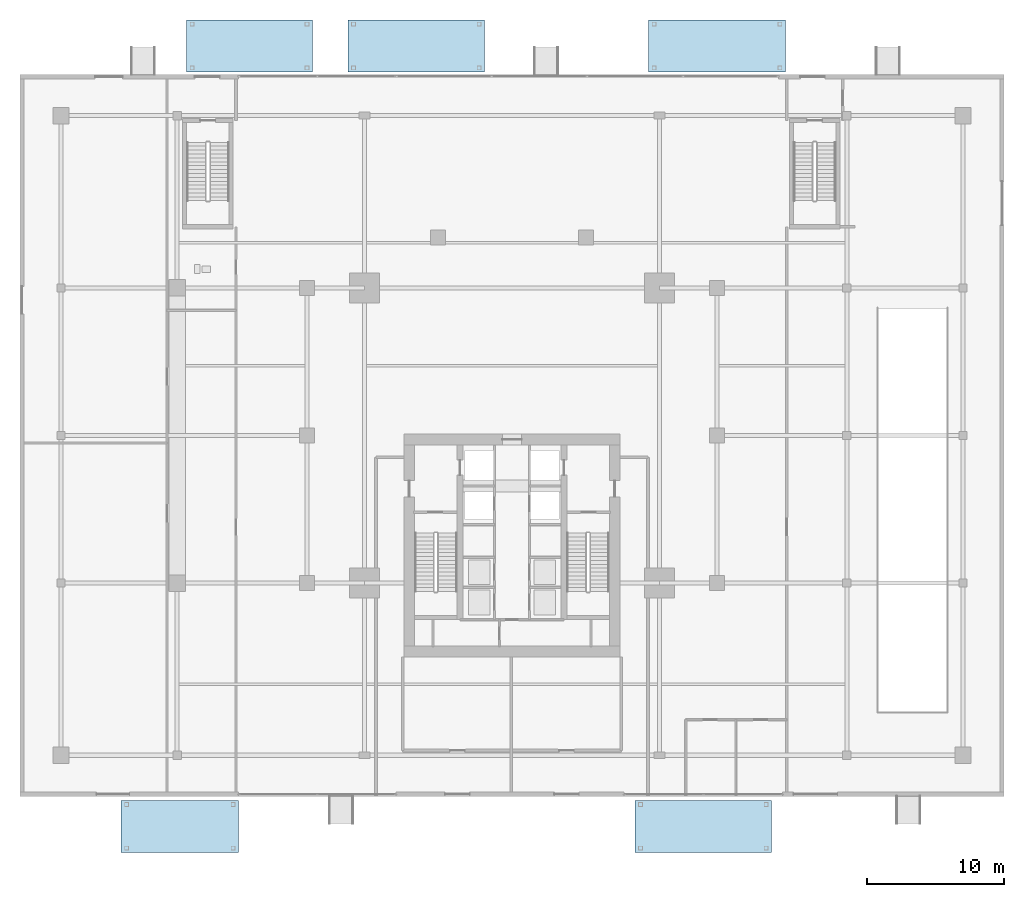
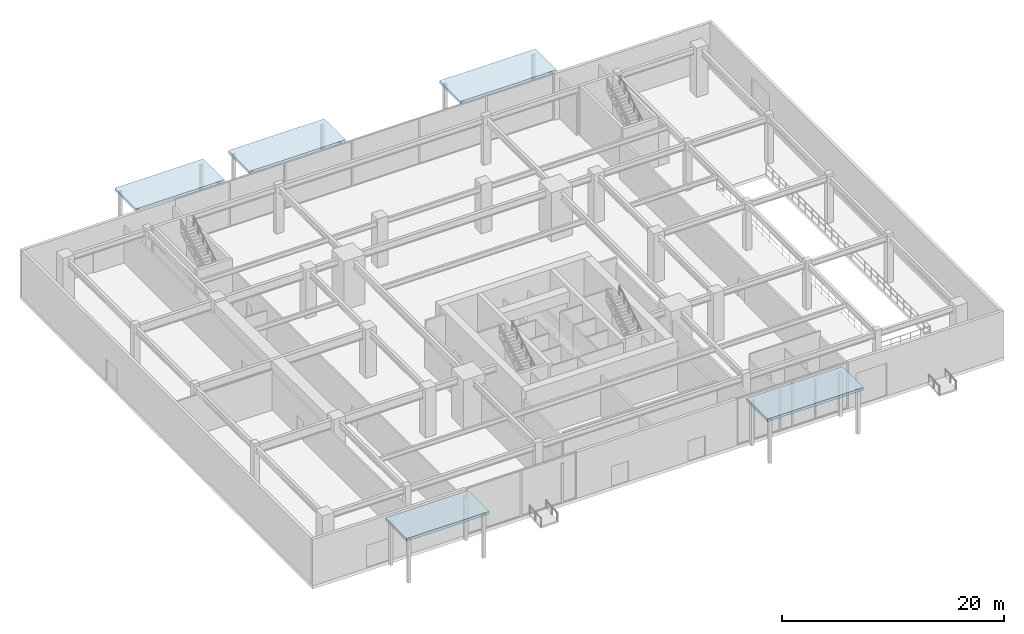
# One storey, part 22 of 28: 5 roofs.
"""IFC4 building model written with IfcOpenShell, lengths in metres."""

from ifc_helpers import new_model, si_unit, direction, frame, origin, place, context, subcontext, project, spatial, polyline, outline, extrude, material, layer, layer_set, type_object, element, save


model = new_model("IFC4")

# Units and contexts
model_context = context("Model", 3, precision=1e-05, world=origin(), true_north=direction((0.0, 1.0)))
body_context = subcontext(model_context, "Body", "Model", "MODEL_VIEW")
ifc_project = project(units=[si_unit("LENGTHUNIT", "METRE"), si_unit("AREAUNIT", "SQUARE_METRE"), si_unit("VOLUMEUNIT", "CUBIC_METRE"), si_unit("PLANEANGLEUNIT", "RADIAN"), si_unit("MASSUNIT", "GRAM", prefix="KILO")], contexts=[model_context])

# Site, building, storey
site_placement = place(None, origin())
site = spatial("IfcSite", under=ifc_project, at=site_placement, CompositionType="ELEMENT")
building_placement = place(site_placement, origin())
building = spatial("IfcBuilding", under=site, at=building_placement, Name="Krantzveldt Concourse Tower", CompositionType="ELEMENT")
storey_placement = place(building_placement, origin())
storey = spatial("IfcBuildingStorey", under=building, at=storey_placement, Name="L00", CompositionType="ELEMENT", Elevation=0.0)

# Roofs
ifc_material = material(Name="Anodised aluminium 6063-T6", Category="aluminium")
ifc_layer = layer(ifc_material, 0.300048828125, Name="Anodised aluminium 6063-T6", Category="aluminium")
ifc_layer_set = layer_set([ifc_layer], Name="Anodised aluminium 6063-T6 (RF-CANOPY-BRZ)")
roof_type = type_object("IfcRoofType", Name="RF-CANOPY-BRZ", PredefinedType="FLAT_ROOF", material=ifc_layer_set)
roof_1_placement = place(storey_placement, frame((0.0, 0.0, 4.800048828125)))
element("IfcRoof", 1, at=roof_1_placement, inside=storey, type_object=roof_type, Name="RF-L00-CAN01", PredefinedType="FLAT_ROOF", context=body_context, shape_type="SweptSolid", body=[
    extrude(outline(polyline([(12.199951171875, 53.300048828125), (21.39990234375, 53.300048828125), (21.39990234375, 57.10009765625), (12.199951171875, 57.10009765625), (12.199951171875, 53.300048828125)])), origin(), (0.0, 0.0, 1.0), 0.300048828125),
])
roof_2_placement = place(storey_placement, frame((0.0, 0.0, 4.800048828125)))
element("IfcRoof", 2, at=roof_2_placement, inside=storey, type_object=roof_type, Name="RF-L00-CAN02", PredefinedType="FLAT_ROOF", context=body_context, shape_type="SweptSolid", body=[
    extrude(outline(polyline([(46.0, 53.300048828125), (56.0, 53.300048828125), (56.0, 57.10009765625), (46.0, 57.10009765625), (46.0, 53.300048828125)])), origin(), (0.0, 0.0, 1.0), 0.300048828125),
])
roof_3_placement = place(storey_placement, frame((0.0, 0.0, 4.800048828125)))
element("IfcRoof", 3, at=roof_3_placement, inside=storey, type_object=roof_type, Name="RF-L00-CAN03", PredefinedType="FLAT_ROOF", context=body_context, shape_type="SweptSolid", body=[
    extrude(outline(polyline([(7.39990234375, -3.800048828125), (16.0, -3.800048828125), (16.0, 0.0), (7.39990234375, 0.0), (7.39990234375, -3.800048828125)])), origin(), (0.0, 0.0, 1.0), 0.300048828125),
])
roof_4_placement = place(storey_placement, frame((0.0, 0.0, 4.800048828125)))
element("IfcRoof", 4, at=roof_4_placement, inside=storey, type_object=roof_type, Name="RF-L00-CAN04", PredefinedType="FLAT_ROOF", context=body_context, shape_type="SweptSolid", body=[
    extrude(outline(polyline([(45.0, -3.800048828125), (55.0, -3.800048828125), (55.0, 0.0), (45.0, 0.0), (45.0, -3.800048828125)])), origin(), (0.0, 0.0, 1.0), 0.300048828125),
])
roof_5_placement = place(storey_placement, frame((0.0, 0.0, 4.800048828125)))
element("IfcRoof", 5, at=roof_5_placement, inside=storey, type_object=roof_type, Name="RF-L00-CAN05", PredefinedType="FLAT_ROOF", context=body_context, shape_type="SweptSolid", body=[
    extrude(outline(polyline([(24.0, 53.300048828125), (34.0, 53.300048828125), (34.0, 57.10009765625), (24.0, 57.10009765625), (24.0, 53.300048828125)])), origin(), (0.0, 0.0, 1.0), 0.300048828125),
])

save(model, "model.ifc")
